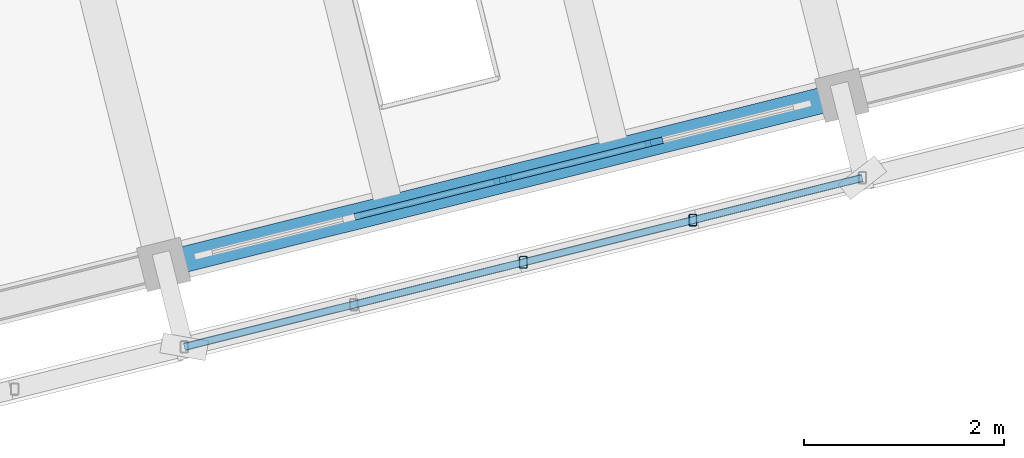
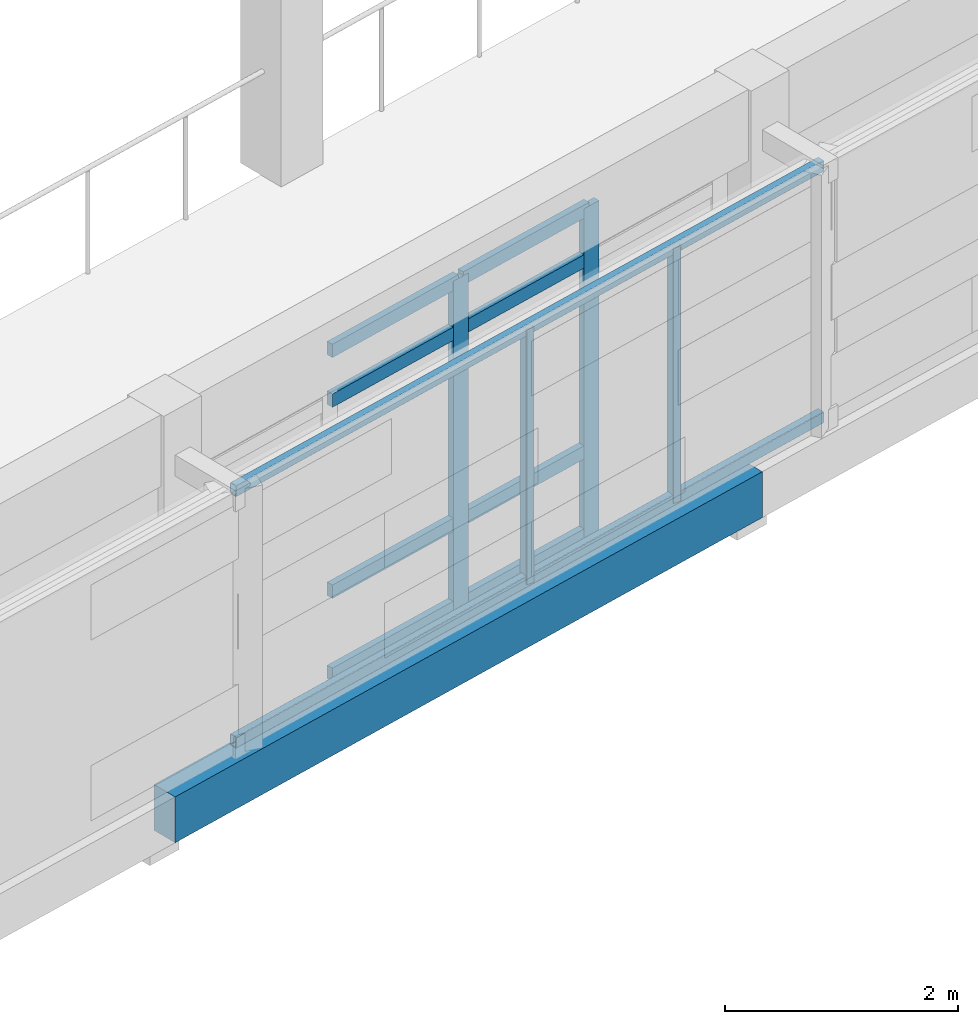
# One storey, part 7 of 117: 14 members, 1 beam, 1 element without a shape of its own.
"""IFC4 building model written with IfcOpenShell, lengths in metres."""

from ifc_helpers import new_model, si_unit, direction, frame, origin, origin_2d, place, context, subcontext, project, spatial, rectangle, hollow_rectangle, extrude, material, material_profile, profile_set, type_object, element, aggregate, save


model = new_model("IFC4")

# Units and contexts
model_context = context("Model", 3, precision=1e-05, world=origin(), true_north=direction((0.0, 1.0)))
body_context = subcontext(model_context, "Body", "Model", "MODEL_VIEW")
ifc_project = project(units=[si_unit("LENGTHUNIT", "METRE"), si_unit("AREAUNIT", "SQUARE_METRE"), si_unit("VOLUMEUNIT", "CUBIC_METRE"), si_unit("PLANEANGLEUNIT", "RADIAN"), si_unit("MASSUNIT", "GRAM", prefix="KILO")], contexts=[model_context])

# Site, building, storey
site_placement = place(None, origin())
site = spatial("IfcSite", under=ifc_project, at=site_placement, CompositionType="ELEMENT")
building_placement = place(site_placement, origin())
building = spatial("IfcBuilding", under=site, at=building_placement, Name="Cinderway Yard Community Centre", CompositionType="ELEMENT")
storey_placement = place(building_placement, frame((0.0, 0.0, 9.0)))
storey = spatial("IfcBuildingStorey", under=building, at=storey_placement, Name="L02", CompositionType="ELEMENT", Elevation=9.0)

# Curtain wall, members
ifc_material_1 = material(Name="Aluminium 6063-T6", Category="aluminium")
curtain_wall_type = type_object("IfcCurtainWallType", Name="ENV-CW-TYPE-08", PredefinedType="USERDEFINED", material=ifc_material_1)
curtain_wall_placement = place(storey_placement, origin())
curtain_wall = element("IfcCurtainWall", 1, at=curtain_wall_placement, inside=storey, type_object=curtain_wall_type, Name="Sanctuary South Curtain Wall ENV-CW-L02-HS-0027", ObjectType="GLAZED CURTAIN WALL", PredefinedType="USERDEFINED")
ifc_material_profile_1 = material_profile(ifc_material_1, rectangle(XDim=0.06494140625, YDim=0.179931640625, at=origin_2d()), Name="Aluminium 6063-T6")
ifc_profile_set_1 = profile_set([ifc_material_profile_1], Name="Aluminium 6063-T6")
member_type_1 = type_object("IfcMemberType", Name="ENV-CW-MULL-180", PredefinedType="MULLION", material=ifc_profile_set_1)
member_1_placement = place(storey_placement, frame((38.193115234375, 23.722412109375, 0.0), z_axis=(0.0, 0.0, 1.0), x_axis=(-0.241856748919, 0.970311966845, 0.0)))
member_1 = element("IfcMember", 2, at=member_1_placement, type_object=member_type_1, Name="CW-08 mullion 3", PredefinedType="MULLION", context=body_context, shape_type="SweptSolid", body=[
    extrude(rectangle(XDim=0.06494140625, YDim=0.179931640625, at=origin_2d()), origin(), (0.0, 0.0, 1.0), 3.449951171875),
])
member_2_placement = place(storey_placement, frame((39.70654296875, 24.099853515625, 0.0), z_axis=(0.0, 0.0, 1.0), x_axis=(-0.241856748919, 0.970311966845, 0.0)))
member_2 = element("IfcMember", 3, at=member_2_placement, type_object=member_type_1, Name="CW-08 mullion 4", PredefinedType="MULLION", context=body_context, shape_type="SweptSolid", body=[
    extrude(rectangle(XDim=0.06494140625, YDim=0.179931640625, at=origin_2d()), origin(), (0.0, 0.0, 1.0), 3.449951171875),
])
ifc_material_profile_2 = material_profile(ifc_material_1, rectangle(XDim=0.06494140625, YDim=0.139892578125, at=origin_2d()), Name="Aluminium 6063-T6")
ifc_profile_set_2 = profile_set([ifc_material_profile_2], Name="Aluminium 6063-T6")
member_type_2 = type_object("IfcMemberType", Name="ENV-CW-TRAN-140", PredefinedType="USERDEFINED", material=ifc_profile_set_2)
member_3_placement = place(storey_placement, frame((36.70849609375, 23.3525390625, 0.030029296875), z_axis=(0.970305057205, 0.241884468211, 0.0), x_axis=(-0.241884468211, 0.970305057205, 0.0)))
member_3 = element("IfcMember", 4, at=member_3_placement, type_object=member_type_2, Name="CW-08 transom 2.1", ObjectType="TRANSOM", PredefinedType="USERDEFINED", context=body_context, shape_type="SweptSolid", body=[
    extrude(rectangle(XDim=0.06494140625, YDim=0.139892578125, at=origin_2d()), origin(), (0.0, 0.0, 1.0), 1.499755859375),
])
member_4_placement = place(storey_placement, frame((36.70849609375, 23.3525390625, 0.89990234375), z_axis=(0.970305057205, 0.241884468211, 0.0), x_axis=(-0.241884468211, 0.970305057205, 0.0)))
member_4 = element("IfcMember", 5, at=member_4_placement, type_object=member_type_2, Name="CW-08 transom 2.2", ObjectType="TRANSOM", PredefinedType="USERDEFINED", context=body_context, shape_type="SweptSolid", body=[
    extrude(rectangle(XDim=0.06494140625, YDim=0.139892578125, at=origin_2d()), origin(), (0.0, 0.0, 1.0), 1.499755859375),
])
member_5_placement = place(storey_placement, frame((36.70849609375, 23.3525390625, 2.89990234375), z_axis=(0.970305057205, 0.241884468211, 0.0), x_axis=(-0.241884468211, 0.970305057205, 0.0)))
member_5 = element("IfcMember", 6, at=member_5_placement, type_object=member_type_2, Name="CW-08 transom 2.3", ObjectType="TRANSOM", PredefinedType="USERDEFINED", context=body_context, shape_type="SweptSolid", body=[
    extrude(rectangle(XDim=0.06494140625, YDim=0.139892578125, at=origin_2d()), origin(), (0.0, 0.0, 1.0), 1.499755859375),
])
member_6_placement = place(storey_placement, frame((36.70849609375, 23.3525390625, 3.419921875), z_axis=(0.970305057205, 0.241884468211, 0.0), x_axis=(-0.241884468211, 0.970305057205, 0.0)))
member_6 = element("IfcMember", 7, at=member_6_placement, type_object=member_type_2, Name="CW-08 transom 2.4", ObjectType="TRANSOM", PredefinedType="USERDEFINED", context=body_context, shape_type="SweptSolid", body=[
    extrude(rectangle(XDim=0.06494140625, YDim=0.139892578125, at=origin_2d()), origin(), (0.0, 0.0, 1.0), 1.499755859375),
])
member_7_placement = place(storey_placement, frame((38.22216796875, 23.729736328125, 0.030029296875), z_axis=(0.970305057205, 0.241884468211, 0.0), x_axis=(-0.241884468211, 0.970305057205, 0.0)))
member_7 = element("IfcMember", 8, at=member_7_placement, type_object=member_type_2, Name="CW-08 transom 3.1", ObjectType="TRANSOM", PredefinedType="USERDEFINED", context=body_context, shape_type="SweptSolid", body=[
    extrude(rectangle(XDim=0.06494140625, YDim=0.139892578125, at=origin_2d()), origin(), (0.0, 0.0, 1.0), 1.499755859375),
])
member_8_placement = place(storey_placement, frame((38.22216796875, 23.729736328125, 0.89990234375), z_axis=(0.970305057205, 0.241884468211, 0.0), x_axis=(-0.241884468211, 0.970305057205, 0.0)))
member_8 = element("IfcMember", 9, at=member_8_placement, type_object=member_type_2, Name="CW-08 transom 3.2", ObjectType="TRANSOM", PredefinedType="USERDEFINED", context=body_context, shape_type="SweptSolid", body=[
    extrude(rectangle(XDim=0.06494140625, YDim=0.139892578125, at=origin_2d()), origin(), (0.0, 0.0, 1.0), 1.499755859375),
])
member_9_placement = place(storey_placement, frame((38.22216796875, 23.729736328125, 2.89990234375), z_axis=(0.970305057205, 0.241884468211, 0.0), x_axis=(-0.241884468211, 0.970305057205, 0.0)))
member_9 = element("IfcMember", 10, at=member_9_placement, type_object=member_type_2, Name="CW-08 transom 3.3", ObjectType="TRANSOM", PredefinedType="USERDEFINED", context=body_context, shape_type="SweptSolid", body=[
    extrude(rectangle(XDim=0.06494140625, YDim=0.139892578125, at=origin_2d()), origin(), (0.0, 0.0, 1.0), 1.499755859375),
])
member_10_placement = place(storey_placement, frame((38.22216796875, 23.729736328125, 3.419921875), z_axis=(0.970305057205, 0.241884468211, 0.0), x_axis=(-0.241884468211, 0.970305057205, 0.0)))
member_10 = element("IfcMember", 11, at=member_10_placement, type_object=member_type_2, Name="CW-08 transom 3.4", ObjectType="TRANSOM", PredefinedType="USERDEFINED", context=body_context, shape_type="SweptSolid", body=[
    extrude(rectangle(XDim=0.06494140625, YDim=0.139892578125, at=origin_2d()), origin(), (0.0, 0.0, 1.0), 1.499755859375),
])
aggregate(curtain_wall, [member_1, member_2, member_3, member_4, member_5, member_6, member_7, member_8, member_9, member_10])

# Members
ifc_material_2 = material(Name="Steel S355", Category="steel")
ifc_material_profile_3 = material_profile(ifc_material_2, hollow_rectangle(XDim=0.080078125, YDim=0.1201171875, WallThickness=0.00634765625, InnerFilletRadius=0.00634765625, OuterFilletRadius=0.0126953125, at=origin_2d()), Name="Steel S355")
ifc_profile_set_3 = profile_set([ifc_material_profile_3], Name="Steel S355")
member_type_3 = type_object("IfcMemberType", Name="ENV-MEM-SCREEN-RAIL-120", PredefinedType="STRINGER", material=ifc_profile_set_3)
for number, where, z_axis, x_axis, name in (
    (12, (35.0029296875, 22.051025390625, 0.7099609375), (0.970314595111, 0.241846204259, 0.0), (-0.241846204259, 0.970314595111, 0.0), "Screen support rail 0948-BOT"),
    (13, (35.0029296875, 22.051025390625, 3.340087890625), (0.970314595111, 0.241846204259, 0.0), (-0.241846204259, 0.970314595111, 0.0), "Screen support rail 0949-TOP"),
):
    element("IfcMember", number, at=place(storey_placement, frame(where, z_axis=z_axis, x_axis=x_axis)), inside=storey, type_object=member_type_3, Name=name, PredefinedType="STRINGER", context=body_context, shape_type="SweptSolid", body=[
        extrude(hollow_rectangle(XDim=0.080078125, YDim=0.1201171875, WallThickness=0.00634765625, InnerFilletRadius=0.00634765625, OuterFilletRadius=0.0126953125, at=origin_2d()), origin(), (0.0, 0.0, 1.0), 6.999755859375),
    ])
for number, where, z_axis, x_axis, name in (
    (14, (38.39892578125, 22.89794921875, 0.68994140625), (0.0, 0.0, 1.0), (1.0, 0.0, 0.0), "Screen vertical mullion 0951"),
    (15, (40.096923828125, 23.321044921875, 0.68994140625), (0.0, 0.0, 1.0), (1.0, 0.0, 0.0), "Screen vertical mullion 0952"),
):
    element("IfcMember", number, at=place(storey_placement, frame(where, z_axis=z_axis, x_axis=x_axis)), inside=storey, type_object=member_type_3, Name=name, PredefinedType="STRINGER", context=body_context, shape_type="SweptSolid", body=[
        extrude(hollow_rectangle(XDim=0.080078125, YDim=0.1201171875, WallThickness=0.00634765625, InnerFilletRadius=0.00634765625, OuterFilletRadius=0.0126953125, at=origin_2d()), origin(), (0.0, 0.0, 1.0), 2.670166015625),
    ])

# Beam
ifc_material_3 = material(Name="Concrete C40/50", Category="concrete")
ifc_material_profile_4 = material_profile(ifc_material_3, rectangle(XDim=0.260009765625, YDim=0.47998046875, at=origin_2d()), Name="Concrete C40/50")
ifc_profile_set_4 = profile_set([ifc_material_profile_4], Name="Concrete C40/50")
beam_type = type_object("IfcBeamType", Name="STR-BM-RC260X480", PredefinedType="SPANDREL", material=ifc_profile_set_4)
beam_placement = place(storey_placement, frame((34.797119140625, 22.8759765625, -0.47998046875), z_axis=(0.970306409839, 0.241879042136, 0.0), x_axis=(-0.241879042136, 0.970306409839, 0.0)))
element("IfcBeam", 16, at=beam_placement, inside=storey, type_object=beam_type, Name="Primary girder STR-BM-L02-SP01-0326", PredefinedType="SPANDREL", context=body_context, shape_type="SweptSolid", body=[
    extrude(rectangle(XDim=0.260009765625, YDim=0.47998046875, at=origin_2d()), origin(), (0.0, 0.0, 1.0), 6.999755859375),
])

save(model, "model.ifc")
